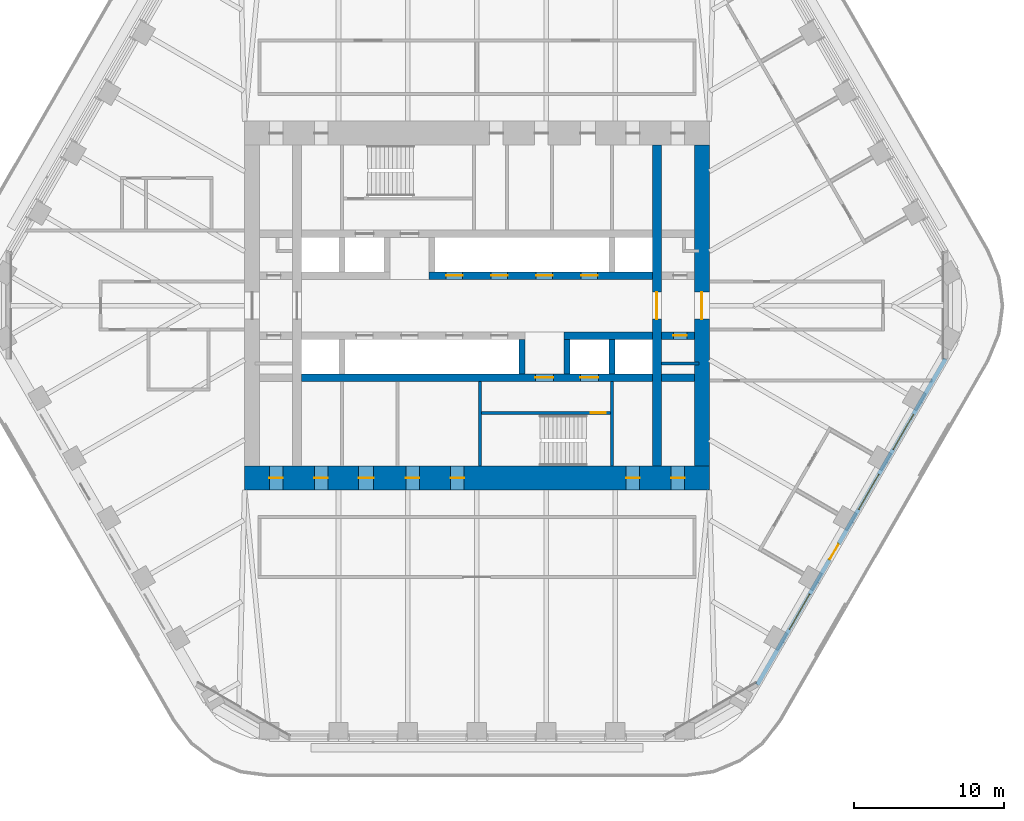
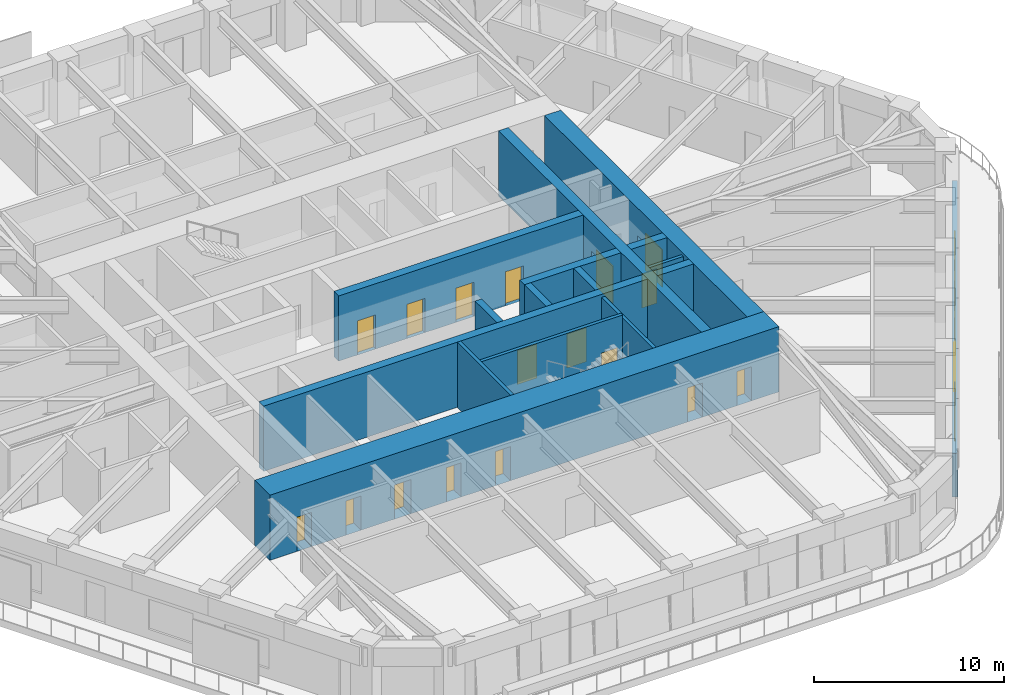
# One storey, part 15 of 20: 18 doors, 16 walls, 3 windows, 21 openings.
"""IFC4 building model written with IfcOpenShell, lengths in metres."""

from ifc_helpers import new_model, si_unit, direction, frame, frame_2d, origin, place, context, subcontext, project, spatial, rectangle, extrude, material, layer, layer_set, type_object, element, fill, save


model = new_model("IFC4")

# Units and contexts
model_context = context("Model", 3, precision=1e-05, world=origin(), true_north=direction((0.0, 1.0)))
body_context = subcontext(model_context, "Body", "Model", "MODEL_VIEW")
ifc_project = project(units=[si_unit("LENGTHUNIT", "METRE"), si_unit("AREAUNIT", "SQUARE_METRE"), si_unit("VOLUMEUNIT", "CUBIC_METRE"), si_unit("PLANEANGLEUNIT", "RADIAN"), si_unit("MASSUNIT", "GRAM", prefix="KILO")], contexts=[model_context])

# Site, building, storey
site_placement = place(None, origin())
site = spatial("IfcSite", under=ifc_project, at=site_placement, CompositionType="ELEMENT")
building_placement = place(site_placement, origin())
building = spatial("IfcBuilding", under=site, at=building_placement, Name="Tarfa Lantern Tower", CompositionType="ELEMENT")
storey_placement = place(building_placement, frame((0.0, 0.0, 240.699951171875)))
storey = spatial("IfcBuildingStorey", under=building, at=storey_placement, Name="L54", CompositionType="ELEMENT", Elevation=240.699951171875)

# Wall, openings, door, windows
ifc_material_1 = material(Name="Limestone cladding on blockwork", Category="masonry")
ifc_layer_1 = layer(ifc_material_1, 0.300048828125)
ifc_layer_set_1 = layer_set([ifc_layer_1], Name="EW1 STONE-CLAD WALL 300")
wall_type_1 = type_object("IfcWallType", Name="EW1 STONE-CLAD WALL 300", PredefinedType="SOLIDWALL", material=ifc_layer_set_1)
wall_1_placement = place(storey_placement, frame((18.70654296875, -25.299072265625, 0.0), z_axis=(0.0, 0.0, 1.0), x_axis=(0.500000442367, 0.866025148383, 0.0)))
wall_1 = element("IfcWall", 1, at=wall_1_placement, inside=storey, type_object=wall_type_1, Name="Stone wall SE", PredefinedType="SOLIDWALL", context=body_context, shape_type="SweptSolid", body=[
    extrude(rectangle(XDim=25.11279296875, YDim=0.300048828125, at=frame_2d((12.556396484375, 0.0))), origin(), (0.0, 0.0, 1.0), 2.800048828125),
])
opening_1_placement = place(wall_1_placement, frame((4.2783203125, 0.0, 0.60009765625)))
opening_1 = element("IfcOpeningElement", 2, at=opening_1_placement, cuts=wall_1, Name="Opening W14", PredefinedType="OPENING", context=body_context, shape_type="SweptSolid", body=[
    extrude(rectangle(XDim=2.699951171875, YDim=1.949951171875, at=frame_2d((1.35009765625, 0.97509765625))), frame((0.0, 0.159912109375, 0.0), z_axis=(0.0, -1.0, 0.0), x_axis=(1.0, 0.0, 0.0)), (0.0, 0.0, 1.0), 0.320068359375),
])
opening_2_placement = place(wall_1_placement, frame((9.64697265625, 0.0, 0.0)))
opening_2 = element("IfcOpeningElement", 3, at=opening_2_placement, cuts=wall_1, Name="Opening D48", PredefinedType="OPENING", context=body_context, shape_type="SweptSolid", body=[
    extrude(rectangle(XDim=1.199951171875, YDim=2.39990234375, at=frame_2d((0.60009765625, 1.199951171875))), frame((0.0, 0.159912109375, 0.0), z_axis=(0.0, -1.0, 0.0), x_axis=(1.0, 0.0, 0.0)), (0.0, 0.0, 1.0), 0.320068359375),
])
opening_3_placement = place(wall_1_placement, frame((13.515869140625, 0.0, 0.60009765625)))
opening_3 = element("IfcOpeningElement", 4, at=opening_3_placement, cuts=wall_1, Name="Opening W14", PredefinedType="OPENING", context=body_context, shape_type="SweptSolid", body=[
    extrude(rectangle(XDim=2.699951171875, YDim=1.949951171875, at=frame_2d((1.35009765625, 0.97509765625))), frame((0.0, 0.159912109375, 0.0), z_axis=(0.0, -1.0, 0.0), x_axis=(1.0, 0.0, 0.0)), (0.0, 0.0, 1.0), 0.320068359375),
])
opening_4_placement = place(wall_1_placement, frame((18.134521484375, 0.0, 0.60009765625)))
opening_4 = element("IfcOpeningElement", 5, at=opening_4_placement, cuts=wall_1, Name="Opening W14", PredefinedType="OPENING", context=body_context, shape_type="SweptSolid", body=[
    extrude(rectangle(XDim=2.699951171875, YDim=1.949951171875, at=frame_2d((1.35009765625, 0.97509765625))), frame((0.0, 0.159912109375, 0.0), z_axis=(0.0, -1.0, 0.0), x_axis=(1.0, 0.0, 0.0)), (0.0, 0.0, 1.0), 0.320068359375),
])
ifc_material_2 = material(Name="Aluminium framed glazed door", Category="aluminium")
door_type_1 = type_object("IfcDoorType", Name="BE3 BALCONY DOOR 1200x2400", OperationType="SINGLE_SWING_RIGHT", PredefinedType="DOOR", material=ifc_material_2)
door_1_placement = place(opening_2_placement, origin())
door_1 = element("IfcDoor", 6, at=door_1_placement, inside=storey, type_object=door_type_1, Name="Balcony door SE", OperationType="SINGLE_SWING_RIGHT", OverallHeight=2.39990234375, OverallWidth=1.199951171875, PredefinedType="DOOR", context=body_context, shape_type="SweptSolid", body=[
    extrude(rectangle(XDim=1.199951171875, YDim=2.39990234375, at=frame_2d((0.60009765625, 1.199951171875))), frame((0.0, 0.02490234375, 0.0), z_axis=(0.0, -1.0, 0.0), x_axis=(1.0, 0.0, 0.0)), (0.0, 0.0, 1.0), 0.050048828125),
])
fill(opening_2, door_1)
ifc_material_3 = material(Name="Aluminium frame, double glazed", Category="aluminium")
window_type = type_object("IfcWindowType", Name="W14 FULL-HEIGHT GLAZING 2700x1950", PartitioningType="SINGLE_PANEL", PredefinedType="WINDOW", material=ifc_material_3)
window_1_placement = place(opening_1_placement, origin())
window_1 = element("IfcWindow", 7, at=window_1_placement, inside=storey, type_object=window_type, Name="Window SE 2", OverallHeight=1.949951171875, OverallWidth=2.699951171875, PartitioningType="SINGLE_PANEL", PredefinedType="WINDOW", context=body_context, shape_type="SweptSolid", body=[
    extrude(rectangle(XDim=2.699951171875, YDim=1.949951171875, at=frame_2d((1.35009765625, 0.97509765625))), frame((0.0, 0.030029296875, 0.0), z_axis=(0.0, -1.0, 0.0), x_axis=(1.0, 0.0, 0.0)), (0.0, 0.0, 1.0), 0.06005859375),
])
fill(opening_1, window_1)
window_2_placement = place(opening_3_placement, origin())
window_2 = element("IfcWindow", 8, at=window_2_placement, inside=storey, type_object=window_type, Name="Window SE 4", OverallHeight=1.949951171875, OverallWidth=2.699951171875, PartitioningType="SINGLE_PANEL", PredefinedType="WINDOW", context=body_context, shape_type="SweptSolid", body=[
    extrude(rectangle(XDim=2.699951171875, YDim=1.949951171875, at=frame_2d((1.35009765625, 0.97509765625))), frame((0.0, 0.030029296875, 0.0), z_axis=(0.0, -1.0, 0.0), x_axis=(1.0, 0.0, 0.0)), (0.0, 0.0, 1.0), 0.06005859375),
])
fill(opening_3, window_2)
window_3_placement = place(opening_4_placement, origin())
window_3 = element("IfcWindow", 9, at=window_3_placement, inside=storey, type_object=window_type, Name="Window SE 5", OverallHeight=1.949951171875, OverallWidth=2.699951171875, PartitioningType="SINGLE_PANEL", PredefinedType="WINDOW", context=body_context, shape_type="SweptSolid", body=[
    extrude(rectangle(XDim=2.699951171875, YDim=1.949951171875, at=frame_2d((1.35009765625, 0.97509765625))), frame((0.0, 0.030029296875, 0.0), z_axis=(0.0, -1.0, 0.0), x_axis=(1.0, 0.0, 0.0)), (0.0, 0.0, 1.0), 0.06005859375),
])
fill(opening_4, window_3)

# Walls
ifc_material_4 = material(Name="Concrete blockwork", Category="masonry")
ifc_layer_2 = layer(ifc_material_4, 0.199951171875)
ifc_layer_set_2 = layer_set([ifc_layer_2], Name="IW1 BLOCKWORK PARTITION 200 EI 120")
wall_type_2 = type_object("IfcWallType", Name="IW1 BLOCKWORK PARTITION 200 EI 120", PredefinedType="PARTITIONING", material=ifc_layer_set_2)
wall_2_placement = place(storey_placement, frame((9.0, -5.050048828125, 0.0), z_axis=(0.0, 0.0, 1.0), x_axis=(0.0, -1.0, 0.0)))
element("IfcWall", 10, at=wall_2_placement, inside=storey, type_object=wall_type_2, Name="Core partition", PredefinedType="PARTITIONING", context=body_context, shape_type="SweptSolid", body=[
    extrude(rectangle(XDim=5.64990234375, YDim=0.199951171875, at=frame_2d((2.824951171875, 0.0))), origin(), (0.0, 0.0, 1.0), 4.0),
])
wall_3_placement = place(storey_placement, frame((14.800048828125, -3.85009765625, 0.0), z_axis=(0.0, 0.0, 1.0), x_axis=(-1.0, 0.0, 0.0)))
element("IfcWall", 11, at=wall_3_placement, inside=storey, type_object=wall_type_2, Name="Core partition", PredefinedType="PARTITIONING", context=body_context, shape_type="SweptSolid", body=[
    extrude(rectangle(XDim=2.5, YDim=0.199951171875, at=frame_2d((1.25, 0.0))), origin(), (0.0, 0.0, 1.0), 4.0),
])
ifc_material_5 = material(Name="Concrete C80/95", Category="concrete")
ifc_layer_3 = layer(ifc_material_5, 0.199951171875)
ifc_layer_set_3 = layer_set([ifc_layer_3], Name="SW12 CORE WALL 200")
wall_type_3 = type_object("IfcWallType", Name="SW12 CORE WALL 200", PredefinedType="SHEAR", material=ifc_layer_set_3)
wall_4_placement = place(storey_placement, frame((0.199951171875, -5.050048828125, 0.0), z_axis=(0.0, 0.0, 1.0), x_axis=(0.0, -1.0, 0.0)))
element("IfcWall", 12, at=wall_4_placement, inside=storey, type_object=wall_type_3, Name="Core wall stair shaft S", PredefinedType="SHEAR", context=body_context, shape_type="SweptSolid", body=[
    extrude(rectangle(XDim=5.64990234375, YDim=0.199951171875, at=frame_2d((2.824951171875, 0.0))), origin(), (0.0, 0.0, 1.0), 4.199951171875),
])

# Wall, opening, door
wall_5_placement = place(storey_placement, frame((8.89990234375, -7.14990234375, 0.0), z_axis=(0.0, 0.0, 1.0), x_axis=(-1.0, 0.0, 0.0)))
wall_5 = element("IfcWall", 13, at=wall_5_placement, inside=storey, type_object=wall_type_3, Name="Core wall stair partition S", PredefinedType="SHEAR", context=body_context, shape_type="SweptSolid", body=[
    extrude(rectangle(XDim=8.599853515625, YDim=0.199951171875, at=frame_2d((4.2998046875, 0.0))), origin(), (0.0, 0.0, 1.0), 4.199951171875),
])
opening_5_placement = place(wall_5_placement, frame((0.300048828125, 0.0, 0.0)))
opening_5 = element("IfcOpeningElement", 14, at=opening_5_placement, cuts=wall_5, Name="Opening D24", PredefinedType="OPENING", context=body_context, shape_type="SweptSolid", body=[
    extrude(rectangle(XDim=1.0, YDim=2.199951171875, at=frame_2d((0.5, 1.10009765625))), frame((0.0, 0.10986328125, 0.0), z_axis=(0.0, -1.0, 0.0), x_axis=(1.0, 0.0, 0.0)), (0.0, 0.0, 1.0), 0.219970703125),
])
ifc_material_6 = material(Name="Steel fire door", Category="steel")
door_type_2 = type_object("IfcDoorType", Name="DF2 STAIR DOOR 1000x2200", OperationType="SINGLE_SWING_LEFT", PredefinedType="DOOR", material=ifc_material_6)
door_2_placement = place(opening_5_placement, origin())
door_2 = element("IfcDoor", 15, at=door_2_placement, inside=storey, type_object=door_type_2, Name="Stair door", OperationType="SINGLE_SWING_RIGHT", OverallHeight=2.199951171875, OverallWidth=1.0, PredefinedType="DOOR", context=body_context, shape_type="SweptSolid", body=[
    extrude(rectangle(XDim=1.0, YDim=2.199951171875, at=frame_2d((0.5, 1.10009765625))), frame((0.0, 0.02490234375, 0.0), z_axis=(0.0, -1.0, 0.0), x_axis=(1.0, 0.0, 0.0)), (0.0, 0.0, 1.0), 0.050048828125),
])
fill(opening_5, door_2)

ifc_layer_4 = layer(ifc_material_5, 1.0)
ifc_layer_set_4 = layer_set([ifc_layer_4], Name="SW2 CORE WALL 1000")
wall_type_4 = type_object("IfcWallType", Name="SW2 CORE WALL 1000", PredefinedType="SHEAR", material=ifc_layer_set_4)
wall_6_placement = place(storey_placement, frame((15.0, -10.699951171875, 0.0), z_axis=(0.0, 0.0, 1.0), x_axis=(0.0, 1.0, 0.0)))
wall_6 = element("IfcWall", 16, at=wall_6_placement, inside=storey, type_object=wall_type_4, Name="Core wall E", PredefinedType="SHEAR", context=body_context, shape_type="SweptSolid", body=[
    extrude(rectangle(XDim=21.39990234375, YDim=1.0, at=frame_2d((10.699951171875, 0.0))), origin(), (0.0, 0.0, 1.0), 4.199951171875),
])
opening_6_placement = place(wall_6_placement, frame((9.800048828125, 0.0, 0.0)))
opening_6 = element("IfcOpeningElement", 17, at=opening_6_placement, cuts=wall_6, Name="Opening D11", PredefinedType="OPENING", context=body_context, shape_type="SweptSolid", body=[
    extrude(rectangle(XDim=1.800048828125, YDim=2.39990234375, at=frame_2d((0.89990234375, 1.199951171875))), frame((0.0, 0.510009765625, 0.0), z_axis=(0.0, -1.0, 0.0), x_axis=(1.0, 0.0, 0.0)), (0.0, 0.0, 1.0), 1.02001953125),
])
door_type_3 = type_object("IfcDoorType", Name="DL1 LOBBY DOOR 1800x2400", OperationType="DOUBLE_DOOR_SINGLE_SWING", PredefinedType="DOOR", material=ifc_material_6)
door_3_placement = place(opening_6_placement, frame((1.800048828125, 0.0, 0.0), z_axis=(0.0, 0.0, 1.0), x_axis=(-1.0, 0.0, 0.0)))
door_3 = element("IfcDoor", 18, at=door_3_placement, inside=storey, type_object=door_type_3, Name="Lift lobby door", OperationType="DOUBLE_DOOR_SINGLE_SWING", OverallHeight=2.39990234375, OverallWidth=1.800048828125, PredefinedType="DOOR", context=body_context, shape_type="SweptSolid", body=[
    extrude(rectangle(XDim=1.800048828125, YDim=2.39990234375, at=frame_2d((0.89990234375, 1.199951171875))), frame((0.0, 0.02490234375, 0.0), z_axis=(0.0, -1.0, 0.0), x_axis=(1.0, 0.0, 0.0)), (0.0, 0.0, 1.0), 0.050048828125),
])
fill(opening_6, door_3)

# Wall, openings, doors
ifc_layer_5 = layer(ifc_material_5, 0.5)
ifc_layer_set_5 = layer_set([ifc_layer_5], Name="SW5 CORE WALL 500")
wall_type_5 = type_object("IfcWallType", Name="SW5 CORE WALL 500", PredefinedType="SHEAR", material=ifc_layer_set_5)
wall_7_placement = place(storey_placement, frame((-3.199951171875, 2.0, 0.0), z_axis=(0.0, 0.0, 1.0), x_axis=(1.0, 0.0, 0.0)))
wall_7 = element("IfcWall", 19, at=wall_7_placement, inside=storey, type_object=wall_type_5, Name="Core wall lobby east N", PredefinedType="SHEAR", context=body_context, shape_type="SweptSolid", body=[
    extrude(rectangle(XDim=14.89990234375, YDim=0.5, at=frame_2d((7.449951171875, 0.0))), origin(), (0.0, 0.0, 1.0), 4.199951171875),
])
opening_7_placement = place(wall_7_placement, frame((1.14990234375, 0.0, 0.0)))
opening_7 = element("IfcOpeningElement", 20, at=opening_7_placement, cuts=wall_7, Name="Opening LD03", PredefinedType="OPENING", context=body_context, shape_type="SweptSolid", body=[
    extrude(rectangle(XDim=1.10009765625, YDim=2.199951171875, at=frame_2d((0.550048828125, 1.10009765625))), frame((0.0, 0.260009765625, 0.0), z_axis=(0.0, -1.0, 0.0), x_axis=(1.0, 0.0, 0.0)), (0.0, 0.0, 1.0), 0.52001953125),
])
opening_8_placement = place(wall_7_placement, frame((4.14990234375, 0.0, 0.0)))
opening_8 = element("IfcOpeningElement", 21, at=opening_8_placement, cuts=wall_7, Name="Opening LD04", PredefinedType="OPENING", context=body_context, shape_type="SweptSolid", body=[
    extrude(rectangle(XDim=1.10009765625, YDim=2.199951171875, at=frame_2d((0.550048828125, 1.10009765625))), frame((0.0, 0.260009765625, 0.0), z_axis=(0.0, -1.0, 0.0), x_axis=(1.0, 0.0, 0.0)), (0.0, 0.0, 1.0), 0.52001953125),
])
opening_9_placement = place(wall_7_placement, frame((7.14990234375, 0.0, 0.0)))
opening_9 = element("IfcOpeningElement", 22, at=opening_9_placement, cuts=wall_7, Name="Opening LD05", PredefinedType="OPENING", context=body_context, shape_type="SweptSolid", body=[
    extrude(rectangle(XDim=1.10009765625, YDim=2.199951171875, at=frame_2d((0.550048828125, 1.10009765625))), frame((0.0, 0.260009765625, 0.0), z_axis=(0.0, -1.0, 0.0), x_axis=(1.0, 0.0, 0.0)), (0.0, 0.0, 1.0), 0.52001953125),
])
opening_10_placement = place(wall_7_placement, frame((10.14990234375, 0.0, 0.0)))
opening_10 = element("IfcOpeningElement", 23, at=opening_10_placement, cuts=wall_7, Name="Opening LD06", PredefinedType="OPENING", context=body_context, shape_type="SweptSolid", body=[
    extrude(rectangle(XDim=1.10009765625, YDim=2.199951171875, at=frame_2d((0.550048828125, 1.10009765625))), frame((0.0, 0.260009765625, 0.0), z_axis=(0.0, -1.0, 0.0), x_axis=(1.0, 0.0, 0.0)), (0.0, 0.0, 1.0), 0.52001953125),
])
ifc_material_7 = material(Name="Stainless steel lift door", Category="steel")
door_type_4 = type_object("IfcDoorType", Name="LD2 LIFT LANDING DOOR 1100x2200", OperationType="SLIDING_TO_LEFT", PredefinedType="DOOR", material=ifc_material_7)
door_4_placement = place(opening_7_placement, frame((1.10009765625, 0.0, 0.0), z_axis=(0.0, 0.0, 1.0), x_axis=(-1.0, 0.0, 0.0)))
door_4 = element("IfcDoor", 24, at=door_4_placement, inside=storey, type_object=door_type_4, Name="Landing door PC1", OperationType="SLIDING_TO_LEFT", OverallHeight=2.199951171875, OverallWidth=1.10009765625, PredefinedType="DOOR", context=body_context, shape_type="SweptSolid", body=[
    extrude(rectangle(XDim=1.10009765625, YDim=2.199951171875, at=frame_2d((0.550048828125, 1.10009765625))), frame((0.0, 0.02490234375, 0.0), z_axis=(0.0, -1.0, 0.0), x_axis=(1.0, 0.0, 0.0)), (0.0, 0.0, 1.0), 0.050048828125),
])
fill(opening_7, door_4)
door_5_placement = place(opening_8_placement, frame((1.10009765625, 0.0, 0.0), z_axis=(0.0, 0.0, 1.0), x_axis=(-1.0, 0.0, 0.0)))
door_5 = element("IfcDoor", 25, at=door_5_placement, inside=storey, type_object=door_type_4, Name="Landing door PC2", OperationType="SLIDING_TO_LEFT", OverallHeight=2.199951171875, OverallWidth=1.10009765625, PredefinedType="DOOR", context=body_context, shape_type="SweptSolid", body=[
    extrude(rectangle(XDim=1.10009765625, YDim=2.199951171875, at=frame_2d((0.550048828125, 1.10009765625))), frame((0.0, 0.02490234375, 0.0), z_axis=(0.0, -1.0, 0.0), x_axis=(1.0, 0.0, 0.0)), (0.0, 0.0, 1.0), 0.050048828125),
])
fill(opening_8, door_5)
door_6_placement = place(opening_9_placement, frame((1.10009765625, 0.0, 0.0), z_axis=(0.0, 0.0, 1.0), x_axis=(-1.0, 0.0, 0.0)))
door_6 = element("IfcDoor", 26, at=door_6_placement, inside=storey, type_object=door_type_4, Name="Landing door PC3", OperationType="SLIDING_TO_LEFT", OverallHeight=2.199951171875, OverallWidth=1.10009765625, PredefinedType="DOOR", context=body_context, shape_type="SweptSolid", body=[
    extrude(rectangle(XDim=1.10009765625, YDim=2.199951171875, at=frame_2d((0.550048828125, 1.10009765625))), frame((0.0, 0.02490234375, 0.0), z_axis=(0.0, -1.0, 0.0), x_axis=(1.0, 0.0, 0.0)), (0.0, 0.0, 1.0), 0.050048828125),
])
fill(opening_9, door_6)
door_7_placement = place(opening_10_placement, frame((1.10009765625, 0.0, 0.0), z_axis=(0.0, 0.0, 1.0), x_axis=(-1.0, 0.0, 0.0)))
door_7 = element("IfcDoor", 27, at=door_7_placement, inside=storey, type_object=door_type_4, Name="Landing door PC4", OperationType="SLIDING_TO_LEFT", OverallHeight=2.199951171875, OverallWidth=1.10009765625, PredefinedType="DOOR", context=body_context, shape_type="SweptSolid", body=[
    extrude(rectangle(XDim=1.10009765625, YDim=2.199951171875, at=frame_2d((0.550048828125, 1.10009765625))), frame((0.0, 0.02490234375, 0.0), z_axis=(0.0, -1.0, 0.0), x_axis=(1.0, 0.0, 0.0)), (0.0, 0.0, 1.0), 0.050048828125),
])
fill(opening_10, door_7)

# Wall, opening, door
wall_8_placement = place(storey_placement, frame((14.5, -2.0, 0.0), z_axis=(0.0, 0.0, 1.0), x_axis=(-1.0, 0.0, 0.0)))
wall_8 = element("IfcWall", 28, at=wall_8_placement, inside=storey, type_object=wall_type_5, Name="Core wall lobby west S", PredefinedType="SHEAR", context=body_context, shape_type="SweptSolid", body=[
    extrude(rectangle(XDim=2.199951171875, YDim=0.5, at=frame_2d((1.10009765625, 0.0))), origin(), (0.0, 0.0, 1.0), 4.199951171875),
])
opening_11_placement = place(wall_8_placement, frame((0.5, 0.0, 0.0)))
opening_11 = element("IfcOpeningElement", 29, at=opening_11_placement, cuts=wall_8, Name="Opening D16", PredefinedType="OPENING", context=body_context, shape_type="SweptSolid", body=[
    extrude(rectangle(XDim=0.89990234375, YDim=2.199951171875, at=frame_2d((0.449951171875, 1.10009765625))), frame((0.0, 0.260009765625, 0.0), z_axis=(0.0, -1.0, 0.0), x_axis=(1.0, 0.0, 0.0)), (0.0, 0.0, 1.0), 0.52001953125),
])
door_type_5 = type_object("IfcDoorType", Name="DF6 SERVICE ROOM DOOR 900x2200", OperationType="SINGLE_SWING_LEFT", PredefinedType="DOOR", material=ifc_material_6)
door_8_placement = place(opening_11_placement, origin())
door_8 = element("IfcDoor", 30, at=door_8_placement, inside=storey, type_object=door_type_5, Name="Service room door", OperationType="SINGLE_SWING_RIGHT", OverallHeight=2.199951171875, OverallWidth=0.89990234375, PredefinedType="DOOR", context=body_context, shape_type="SweptSolid", body=[
    extrude(rectangle(XDim=0.89990234375, YDim=2.199951171875, at=frame_2d((0.449951171875, 1.10009765625))), frame((0.0, 0.02490234375, 0.0), z_axis=(0.0, -1.0, 0.0), x_axis=(1.0, 0.0, 0.0)), (0.0, 0.0, 1.0), 0.050048828125),
])
fill(opening_11, door_8)

# Walls
wall_9_placement = place(storey_placement, frame((11.699951171875, -2.0, 0.0), z_axis=(0.0, 0.0, 1.0), x_axis=(-1.0, 0.0, 0.0)))
element("IfcWall", 31, at=wall_9_placement, inside=storey, type_object=wall_type_5, Name="Core wall lobby west S", PredefinedType="SHEAR", context=body_context, shape_type="SweptSolid", body=[
    extrude(rectangle(XDim=5.89990234375, YDim=0.5, at=frame_2d((2.949951171875, 0.0))), origin(), (0.0, 0.0, 1.0), 4.199951171875),
])
wall_10_placement = place(storey_placement, frame((14.5, -4.800048828125, 0.0), z_axis=(0.0, 0.0, 1.0), x_axis=(-1.0, 0.0, 0.0)))
element("IfcWall", 32, at=wall_10_placement, inside=storey, type_object=wall_type_5, Name="Core wall rear S", PredefinedType="SHEAR", context=body_context, shape_type="SweptSolid", body=[
    extrude(rectangle(XDim=2.199951171875, YDim=0.5, at=frame_2d((1.10009765625, 0.0))), origin(), (0.0, 0.0, 1.0), 4.199951171875),
])

# Wall, openings, doors
wall_11_placement = place(storey_placement, frame((11.699951171875, -4.800048828125, 0.0), z_axis=(0.0, 0.0, 1.0), x_axis=(-1.0, 0.0, 0.0)))
wall_11 = element("IfcWall", 33, at=wall_11_placement, inside=storey, type_object=wall_type_5, Name="Core wall rear S", PredefinedType="SHEAR", context=body_context, shape_type="SweptSolid", body=[
    extrude(rectangle(XDim=23.39990234375, YDim=0.5, at=frame_2d((11.699951171875, 0.0))), origin(), (0.0, 0.0, 1.0), 4.199951171875),
])
opening_12_placement = place(wall_11_placement, frame((6.60009765625, 0.0, 0.0)))
opening_12 = element("IfcOpeningElement", 34, at=opening_12_placement, cuts=wall_11, Name="Opening D10", PredefinedType="OPENING", context=body_context, shape_type="SweptSolid", body=[
    extrude(rectangle(XDim=1.199951171875, YDim=2.199951171875, at=frame_2d((0.60009765625, 1.10009765625))), frame((0.0, 0.260009765625, 0.0), z_axis=(0.0, -1.0, 0.0), x_axis=(1.0, 0.0, 0.0)), (0.0, 0.0, 1.0), 0.52001953125),
])
opening_13_placement = place(wall_11_placement, frame((3.60009765625, 0.0, 0.0)))
opening_13 = element("IfcOpeningElement", 35, at=opening_13_placement, cuts=wall_11, Name="Opening LD02", PredefinedType="OPENING", context=body_context, shape_type="SweptSolid", body=[
    extrude(rectangle(XDim=1.199951171875, YDim=2.199951171875, at=frame_2d((0.60009765625, 1.10009765625))), frame((0.0, 0.260009765625, 0.0), z_axis=(0.0, -1.0, 0.0), x_axis=(1.0, 0.0, 0.0)), (0.0, 0.0, 1.0), 0.52001953125),
])
door_type_6 = type_object("IfcDoorType", Name="DF1 FIREFIGHTING LOBBY DOOR 1200x2200", OperationType="SINGLE_SWING_LEFT", PredefinedType="DOOR", material=ifc_material_6)
door_9_placement = place(opening_12_placement, origin())
door_9 = element("IfcDoor", 36, at=door_9_placement, inside=storey, type_object=door_type_6, Name="Firefighting lobby door", OperationType="SINGLE_SWING_LEFT", OverallHeight=2.199951171875, OverallWidth=1.199951171875, PredefinedType="DOOR", context=body_context, shape_type="SweptSolid", body=[
    extrude(rectangle(XDim=1.199951171875, YDim=2.199951171875, at=frame_2d((0.60009765625, 1.10009765625))), frame((0.0, 0.02490234375, 0.0), z_axis=(0.0, -1.0, 0.0), x_axis=(1.0, 0.0, 0.0)), (0.0, 0.0, 1.0), 0.050048828125),
])
fill(opening_12, door_9)
door_type_7 = type_object("IfcDoorType", Name="LD1 LIFT LANDING DOOR 1200x2200", OperationType="SLIDING_TO_LEFT", PredefinedType="DOOR", material=ifc_material_7)
door_10_placement = place(opening_13_placement, origin())
door_10 = element("IfcDoor", 37, at=door_10_placement, inside=storey, type_object=door_type_7, Name="Landing door FL2", OperationType="SLIDING_TO_LEFT", OverallHeight=2.199951171875, OverallWidth=1.199951171875, PredefinedType="DOOR", context=body_context, shape_type="SweptSolid", body=[
    extrude(rectangle(XDim=1.199951171875, YDim=2.199951171875, at=frame_2d((0.60009765625, 1.10009765625))), frame((0.0, 0.02490234375, 0.0), z_axis=(0.0, -1.0, 0.0), x_axis=(1.0, 0.0, 0.0)), (0.0, 0.0, 1.0), 0.050048828125),
])
fill(opening_13, door_10)

# Walls
ifc_layer_6 = layer(ifc_material_5, 0.39990234375)
ifc_layer_set_6 = layer_set([ifc_layer_6], Name="SW6 CORE WALL 400")
wall_type_6 = type_object("IfcWallType", Name="SW6 CORE WALL 400", PredefinedType="SHEAR", material=ifc_layer_set_6)
for number, where, z_axis, x_axis, name in (
    (38, (9.0, -2.25, 0.0), (0.0, 0.0, 1.0), (0.0, -1.0, 0.0), "Core wall divider S"),
    (39, (6.0, -2.25, 0.0), (0.0, 0.0, 1.0), (0.0, -1.0, 0.0), "Core wall divider S"),
    (40, (3.0, -2.25, 0.0), (0.0, 0.0, 1.0), (0.0, -1.0, 0.0), "Core wall divider S"),
):
    element("IfcWall", number, at=place(storey_placement, frame(where, z_axis=z_axis, x_axis=x_axis)), inside=storey, type_object=wall_type_6, Name=name, PredefinedType="SHEAR", context=body_context, shape_type="SweptSolid", body=[
        extrude(rectangle(XDim=2.300048828125, YDim=0.39990234375, at=frame_2d((1.14990234375, 0.0))), origin(), (0.0, 0.0, 1.0), 4.199951171875),
    ])

# Wall, openings, doors
ifc_layer_7 = layer(ifc_material_5, 1.60009765625)
ifc_layer_set_7 = layer_set([ifc_layer_7], Name="SW7 CORE WALL 1600")
wall_type_7 = type_object("IfcWallType", Name="SW7 CORE WALL 1600", PredefinedType="SHEAR", material=ifc_layer_set_7)
wall_12_placement = place(storey_placement, frame((15.5, -11.5, 0.0), z_axis=(0.0, 0.0, 1.0), x_axis=(-1.0, 0.0, 0.0)))
wall_12 = element("IfcWall", 41, at=wall_12_placement, inside=storey, type_object=wall_type_7, Name="Core wall S", PredefinedType="SHEAR", context=body_context, shape_type="SweptSolid", body=[
    extrude(rectangle(XDim=31.0, YDim=1.60009765625, at=frame_2d((15.5, 0.0))), origin(), (0.0, 0.0, 1.0), 4.199951171875),
])
opening_14_placement = place(wall_12_placement, frame((16.35009765625, 0.0, 0.0)))
opening_14 = element("IfcOpeningElement", 42, at=opening_14_placement, cuts=wall_12, Name="Opening D18", PredefinedType="OPENING", context=body_context, shape_type="SweptSolid", body=[
    extrude(rectangle(XDim=0.89990234375, YDim=2.199951171875, at=frame_2d((0.449951171875, 1.10009765625))), frame((0.0, 0.81005859375, 0.0), z_axis=(0.0, -1.0, 0.0), x_axis=(1.0, 0.0, 0.0)), (0.0, 0.0, 1.0), 1.6201171875),
])
opening_15_placement = place(wall_12_placement, frame((19.35009765625, 0.0, 0.0)))
opening_15 = element("IfcOpeningElement", 43, at=opening_15_placement, cuts=wall_12, Name="Opening D20", PredefinedType="OPENING", context=body_context, shape_type="SweptSolid", body=[
    extrude(rectangle(XDim=0.89990234375, YDim=2.199951171875, at=frame_2d((0.449951171875, 1.10009765625))), frame((0.0, 0.81005859375, 0.0), z_axis=(0.0, -1.0, 0.0), x_axis=(1.0, 0.0, 0.0)), (0.0, 0.0, 1.0), 1.6201171875),
])
opening_16_placement = place(wall_12_placement, frame((22.39990234375, 0.0, 0.0)))
opening_16 = element("IfcOpeningElement", 44, at=opening_16_placement, cuts=wall_12, Name="Opening D22", PredefinedType="OPENING", context=body_context, shape_type="SweptSolid", body=[
    extrude(rectangle(XDim=1.0, YDim=2.199951171875, at=frame_2d((0.5, 1.10009765625))), frame((0.0, 0.81005859375, 0.0), z_axis=(0.0, -1.0, 0.0), x_axis=(1.0, 0.0, 0.0)), (0.0, 0.0, 1.0), 1.6201171875),
])
opening_17_placement = place(wall_12_placement, frame((1.64990234375, 0.0, 0.0)))
opening_17 = element("IfcOpeningElement", 45, at=opening_17_placement, cuts=wall_12, Name="Opening D08", PredefinedType="OPENING", context=body_context, shape_type="SweptSolid", body=[
    extrude(rectangle(XDim=0.89990234375, YDim=2.199951171875, at=frame_2d((0.449951171875, 1.10009765625))), frame((0.0, 0.81005859375, 0.0), z_axis=(0.0, -1.0, 0.0), x_axis=(1.0, 0.0, 0.0)), (0.0, 0.0, 1.0), 1.6201171875),
])
opening_18_placement = place(wall_12_placement, frame((4.64990234375, 0.0, 0.0)))
opening_18 = element("IfcOpeningElement", 46, at=opening_18_placement, cuts=wall_12, Name="Opening D06", PredefinedType="OPENING", context=body_context, shape_type="SweptSolid", body=[
    extrude(rectangle(XDim=0.89990234375, YDim=2.199951171875, at=frame_2d((0.449951171875, 1.10009765625))), frame((0.0, 0.81005859375, 0.0), z_axis=(0.0, -1.0, 0.0), x_axis=(1.0, 0.0, 0.0)), (0.0, 0.0, 1.0), 1.6201171875),
])
opening_19_placement = place(wall_12_placement, frame((25.449951171875, 0.0, 0.0)))
opening_19 = element("IfcOpeningElement", 47, at=opening_19_placement, cuts=wall_12, Name="Opening D04", PredefinedType="OPENING", context=body_context, shape_type="SweptSolid", body=[
    extrude(rectangle(XDim=0.89990234375, YDim=2.199951171875, at=frame_2d((0.449951171875, 1.10009765625))), frame((0.0, 0.81005859375, 0.0), z_axis=(0.0, -1.0, 0.0), x_axis=(1.0, 0.0, 0.0)), (0.0, 0.0, 1.0), 1.6201171875),
])
opening_20_placement = place(wall_12_placement, frame((28.449951171875, 0.0, 0.0)))
opening_20 = element("IfcOpeningElement", 48, at=opening_20_placement, cuts=wall_12, Name="Opening D02", PredefinedType="OPENING", context=body_context, shape_type="SweptSolid", body=[
    extrude(rectangle(XDim=0.89990234375, YDim=2.199951171875, at=frame_2d((0.449951171875, 1.10009765625))), frame((0.0, 0.81005859375, 0.0), z_axis=(0.0, -1.0, 0.0), x_axis=(1.0, 0.0, 0.0)), (0.0, 0.0, 1.0), 1.6201171875),
])
door_type_8 = type_object("IfcDoorType", Name="DF3 CORE ROOM DOOR 900x2200", OperationType="SINGLE_SWING_LEFT", PredefinedType="DOOR", material=ifc_material_6)
door_11_placement = place(opening_14_placement, frame((0.89990234375, 0.0, 0.0), z_axis=(0.0, 0.0, 1.0), x_axis=(-1.0, 0.0, 0.0)))
door_11 = element("IfcDoor", 49, at=door_11_placement, inside=storey, type_object=door_type_8, Name="Core door", OperationType="SINGLE_SWING_LEFT", OverallHeight=2.199951171875, OverallWidth=0.89990234375, PredefinedType="DOOR", context=body_context, shape_type="SweptSolid", body=[
    extrude(rectangle(XDim=0.89990234375, YDim=2.199951171875, at=frame_2d((0.449951171875, 1.10009765625))), frame((0.0, 0.02490234375, 0.0), z_axis=(0.0, -1.0, 0.0), x_axis=(1.0, 0.0, 0.0)), (0.0, 0.0, 1.0), 0.050048828125),
])
fill(opening_14, door_11)
door_12_placement = place(opening_15_placement, frame((0.89990234375, 0.0, 0.0), z_axis=(0.0, 0.0, 1.0), x_axis=(-1.0, 0.0, 0.0)))
door_12 = element("IfcDoor", 50, at=door_12_placement, inside=storey, type_object=door_type_8, Name="Core door", OperationType="SINGLE_SWING_RIGHT", OverallHeight=2.199951171875, OverallWidth=0.89990234375, PredefinedType="DOOR", context=body_context, shape_type="SweptSolid", body=[
    extrude(rectangle(XDim=0.89990234375, YDim=2.199951171875, at=frame_2d((0.449951171875, 1.10009765625))), frame((0.0, 0.02490234375, 0.0), z_axis=(0.0, -1.0, 0.0), x_axis=(1.0, 0.0, 0.0)), (0.0, 0.0, 1.0), 0.050048828125),
])
fill(opening_15, door_12)
door_type_9 = type_object("IfcDoorType", Name="DF4 CORE ROOM DOOR 1000x2200", OperationType="SINGLE_SWING_LEFT", PredefinedType="DOOR", material=ifc_material_6)
door_13_placement = place(opening_16_placement, frame((1.0, 0.0, 0.0), z_axis=(0.0, 0.0, 1.0), x_axis=(-1.0, 0.0, 0.0)))
door_13 = element("IfcDoor", 51, at=door_13_placement, inside=storey, type_object=door_type_9, Name="Core door", OperationType="SINGLE_SWING_RIGHT", OverallHeight=2.199951171875, OverallWidth=1.0, PredefinedType="DOOR", context=body_context, shape_type="SweptSolid", body=[
    extrude(rectangle(XDim=1.0, YDim=2.199951171875, at=frame_2d((0.5, 1.10009765625))), frame((0.0, 0.02490234375, 0.0), z_axis=(0.0, -1.0, 0.0), x_axis=(1.0, 0.0, 0.0)), (0.0, 0.0, 1.0), 0.050048828125),
])
fill(opening_16, door_13)
door_type_10 = type_object("IfcDoorType", Name="DF5 RISER DOOR 900x2200", OperationType="SINGLE_SWING_LEFT", PredefinedType="DOOR", material=ifc_material_6)
door_14_placement = place(opening_17_placement, frame((0.89990234375, 0.0, 0.0), z_axis=(0.0, 0.0, 1.0), x_axis=(-1.0, 0.0, 0.0)))
door_14 = element("IfcDoor", 52, at=door_14_placement, inside=storey, type_object=door_type_10, Name="Riser door", OperationType="SINGLE_SWING_LEFT", OverallHeight=2.199951171875, OverallWidth=0.89990234375, PredefinedType="DOOR", context=body_context, shape_type="SweptSolid", body=[
    extrude(rectangle(XDim=0.89990234375, YDim=2.199951171875, at=frame_2d((0.449951171875, 1.10009765625))), frame((0.0, 0.02490234375, 0.0), z_axis=(0.0, -1.0, 0.0), x_axis=(1.0, 0.0, 0.0)), (0.0, 0.0, 1.0), 0.050048828125),
])
fill(opening_17, door_14)
door_15_placement = place(opening_18_placement, frame((0.89990234375, 0.0, 0.0), z_axis=(0.0, 0.0, 1.0), x_axis=(-1.0, 0.0, 0.0)))
door_15 = element("IfcDoor", 53, at=door_15_placement, inside=storey, type_object=door_type_10, Name="Riser door", OperationType="SINGLE_SWING_LEFT", OverallHeight=2.199951171875, OverallWidth=0.89990234375, PredefinedType="DOOR", context=body_context, shape_type="SweptSolid", body=[
    extrude(rectangle(XDim=0.89990234375, YDim=2.199951171875, at=frame_2d((0.449951171875, 1.10009765625))), frame((0.0, 0.02490234375, 0.0), z_axis=(0.0, -1.0, 0.0), x_axis=(1.0, 0.0, 0.0)), (0.0, 0.0, 1.0), 0.050048828125),
])
fill(opening_18, door_15)
door_16_placement = place(opening_19_placement, frame((0.89990234375, 0.0, 0.0), z_axis=(0.0, 0.0, 1.0), x_axis=(-1.0, 0.0, 0.0)))
door_16 = element("IfcDoor", 54, at=door_16_placement, inside=storey, type_object=door_type_10, Name="Riser door", OperationType="SINGLE_SWING_RIGHT", OverallHeight=2.199951171875, OverallWidth=0.89990234375, PredefinedType="DOOR", context=body_context, shape_type="SweptSolid", body=[
    extrude(rectangle(XDim=0.89990234375, YDim=2.199951171875, at=frame_2d((0.449951171875, 1.10009765625))), frame((0.0, 0.02490234375, 0.0), z_axis=(0.0, -1.0, 0.0), x_axis=(1.0, 0.0, 0.0)), (0.0, 0.0, 1.0), 0.050048828125),
])
fill(opening_19, door_16)
door_17_placement = place(opening_20_placement, frame((0.89990234375, 0.0, 0.0), z_axis=(0.0, 0.0, 1.0), x_axis=(-1.0, 0.0, 0.0)))
door_17 = element("IfcDoor", 55, at=door_17_placement, inside=storey, type_object=door_type_10, Name="Riser door", OperationType="SINGLE_SWING_RIGHT", OverallHeight=2.199951171875, OverallWidth=0.89990234375, PredefinedType="DOOR", context=body_context, shape_type="SweptSolid", body=[
    extrude(rectangle(XDim=0.89990234375, YDim=2.199951171875, at=frame_2d((0.449951171875, 1.10009765625))), frame((0.0, 0.02490234375, 0.0), z_axis=(0.0, -1.0, 0.0), x_axis=(1.0, 0.0, 0.0)), (0.0, 0.0, 1.0), 0.050048828125),
])
fill(opening_20, door_17)

# Wall, opening, door
ifc_layer_8 = layer(ifc_material_5, 0.60009765625)
ifc_layer_set_8 = layer_set([ifc_layer_8], Name="SW9 CORE WALL 600")
wall_type_8 = type_object("IfcWallType", Name="SW9 CORE WALL 600", PredefinedType="SHEAR", material=ifc_layer_set_8)
wall_13_placement = place(storey_placement, frame((12.0, -10.699951171875, 0.0), z_axis=(0.0, 0.0, 1.0), x_axis=(0.0, 1.0, 0.0)))
wall_13 = element("IfcWall", 56, at=wall_13_placement, inside=storey, type_object=wall_type_8, Name="Core wall cross 12 m east", PredefinedType="SHEAR", context=body_context, shape_type="SweptSolid", body=[
    extrude(rectangle(XDim=21.39990234375, YDim=0.60009765625, at=frame_2d((10.699951171875, 0.0))), origin(), (0.0, 0.0, 1.0), 4.199951171875),
])
opening_21_placement = place(wall_13_placement, frame((9.800048828125, 0.0, 0.0)))
opening_21 = element("IfcOpeningElement", 57, at=opening_21_placement, cuts=wall_13, Name="Opening D25", PredefinedType="OPENING", context=body_context, shape_type="SweptSolid", body=[
    extrude(rectangle(XDim=1.800048828125, YDim=2.39990234375, at=frame_2d((0.89990234375, 1.199951171875))), frame((0.0, 0.31005859375, 0.0), z_axis=(0.0, -1.0, 0.0), x_axis=(1.0, 0.0, 0.0)), (0.0, 0.0, 1.0), 0.6201171875),
])
door_18_placement = place(opening_21_placement, origin())
door_18 = element("IfcDoor", 58, at=door_18_placement, inside=storey, type_object=door_type_3, Name="Lift lobby door", OperationType="DOUBLE_DOOR_SINGLE_SWING", OverallHeight=2.39990234375, OverallWidth=1.800048828125, PredefinedType="DOOR", context=body_context, shape_type="SweptSolid", body=[
    extrude(rectangle(XDim=1.800048828125, YDim=2.39990234375, at=frame_2d((0.89990234375, 1.199951171875))), frame((0.0, 0.02490234375, 0.0), z_axis=(0.0, -1.0, 0.0), x_axis=(1.0, 0.0, 0.0)), (0.0, 0.0, 1.0), 0.050048828125),
])
fill(opening_21, door_18)

save(model, "model.ifc")
